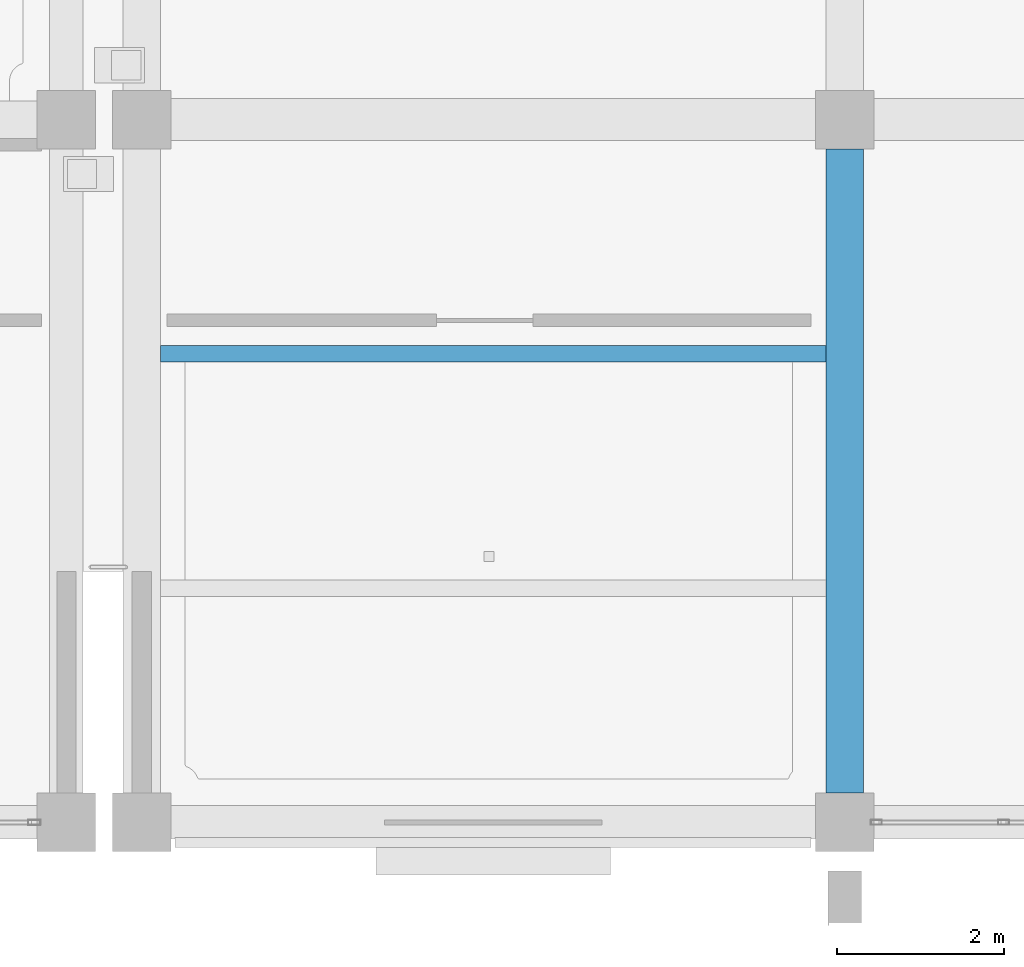
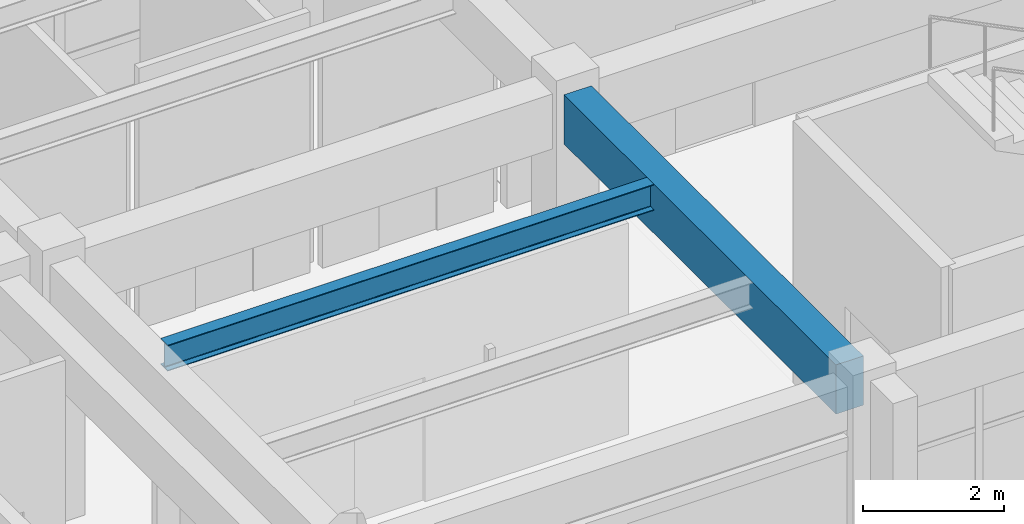
# One storey, part 27 of 98: 2 beams.
"""IFC4 building model written with IfcOpenShell, lengths in metres."""

import ifcopenshell
import ifcopenshell.guid

model = None  # the IFC model being written
_history = None  # IfcOwnerHistory: only IFC2X3 demands one
_inside = {}  # id of a spatial element -> (the spatial element, [elements in it])
_under = {}  # id of a project, library or spatial element -> (it, [spatial elements below it])
_declared = {}  # id of a project -> (the project, [libraries it declares])
_typed = {}  # id of a type object -> (the type object, [elements of that type])
_made_of = {}  # id of a material, layer set ... -> (it, [elements and type objects made of it])


def new_model(schema):
    """Start an empty IFC model of exactly this schema.

    Asked for "IFC4X3", IfcOpenShell would pick the latest addendum, in which some entities
    have other attributes; the version numbers below select the first issue.
    IFC2X3 requires an IfcOwnerHistory on every rooted entity: one is made here for all.
    """
    global model, _history
    if schema == "IFC4X3":
        model = ifcopenshell.file(schema_version=(4, 3, 0, 0))
    else:
        model = ifcopenshell.file(schema=schema)
    _inside.clear()
    _under.clear()
    _declared.clear()
    _typed.clear()
    _made_of.clear()
    _history = None
    if model.schema == "IFC2X3":
        org = make("IfcOrganization", Name="unknown")
        user = make(
            "IfcPersonAndOrganization",
            ThePerson=make("IfcPerson", FamilyName="unknown"),
            TheOrganization=org,
        )
        app = make(
            "IfcApplication",
            ApplicationDeveloper=org,
            Version="unknown",
            ApplicationFullName="unknown",
            ApplicationIdentifier="unknown",
        )
        _history = make(
            "IfcOwnerHistory",
            OwningUser=user,
            OwningApplication=app,
            ChangeAction="ADDED",
            CreationDate=0,
        )
    return model


def make(cls, **values):
    """One entity of the class cls with the attributes given. An attribute that is None is left unset."""
    return model.create_entity(
        cls, **{name: value for name, value in values.items() if value is not None}
    )


def rooted(cls, **values):
    """An entity with a GlobalId (a new one), such as an element, a storey or a relation."""
    return make(cls, GlobalId=ifcopenshell.guid.new(), OwnerHistory=_history, **values)


def si_unit(unit_type, name, prefix=None):
    """IfcSIUnit, for example si_unit("LENGTHUNIT", "METRE", prefix="MILLI")."""
    return make("IfcSIUnit", UnitType=unit_type, Prefix=prefix, Name=name)


def assignment(units):
    """IfcUnitAssignment: the units of a project."""
    return None if units is None else make("IfcUnitAssignment", Units=units)


def point(xyz):
    """IfcCartesianPoint."""
    return None if xyz is None else make("IfcCartesianPoint", Coordinates=xyz)


def direction(xyz):
    """IfcDirection."""
    return None if xyz is None else make("IfcDirection", DirectionRatios=xyz)


def frame(location, z_axis=None, x_axis=None):
    """IfcAxis2Placement3D, a coordinate frame: its origin and axes. An axis left out is left unset."""
    return make(
        "IfcAxis2Placement3D",
        Location=point(location),
        Axis=direction(z_axis),
        RefDirection=direction(x_axis),
    )


def frame_2d(location, x_axis=None):
    """IfcAxis2Placement2D, a coordinate frame in the plane: its origin and x axis."""
    return make(
        "IfcAxis2Placement2D", Location=point(location), RefDirection=direction(x_axis)
    )


def origin():
    """The frame at (0, 0, 0) with its axes left unset."""
    return frame((0.0, 0.0, 0.0))


def origin_2d():
    """The frame at (0, 0) in the plane with its x axis left unset."""
    return frame_2d((0.0, 0.0))


def place(relative_to, where):
    """IfcLocalPlacement: puts the frame where relative to a parent placement (None: the world)."""
    return make(
        "IfcLocalPlacement", PlacementRelTo=relative_to, RelativePlacement=where
    )


def context(
    kind, dimensions, precision=None, world=None, true_north=None, identifier=None
):
    """IfcGeometricRepresentationContext, for example the 3D "Model" context."""
    return make(
        "IfcGeometricRepresentationContext",
        ContextIdentifier=identifier,
        ContextType=kind,
        CoordinateSpaceDimension=dimensions,
        Precision=precision,
        WorldCoordinateSystem=world,
        TrueNorth=true_north,
    )


def subcontext(parent, identifier, kind, view, scale=None):
    """IfcGeometricRepresentationSubContext, for example "Body" below "Model"."""
    return make(
        "IfcGeometricRepresentationSubContext",
        ContextIdentifier=identifier,
        ContextType=kind,
        ParentContext=parent,
        TargetScale=scale,
        TargetView=view,
    )


def project(units=None, contexts=None):
    """IfcProject with its units and contexts."""
    return rooted(
        "IfcProject",
        Name="project",
        RepresentationContexts=contexts,
        UnitsInContext=assignment(units),
    )


def spatial(cls, under=None, at=None, **own):
    """A site, building, storey or space (cls), placed at a placement, below another one or the project."""
    s = rooted(cls, ObjectPlacement=at, **own)
    if under is not None:
        _under.setdefault(under.id(), (under, []))[1].append(s)
    return s


def profile(cls, at=None, kind="AREA", **sizes):
    """A parametric profile (cls). Its sizes go by their IFC names, for example OverallWidth=200.0."""
    return make(cls, ProfileType=kind, Position=at, **sizes)


def rectangle(**sizes):
    """IfcRectangleProfileDef."""
    return profile("IfcRectangleProfileDef", **sizes)


def i_section(**sizes):
    """IfcIShapeProfileDef."""
    return profile("IfcIShapeProfileDef", **sizes)


def extrude(swept, where, along, depth):
    """IfcExtrudedAreaSolid: the profile swept, set in the frame where, extruded along a direction by depth."""
    return make(
        "IfcExtrudedAreaSolid",
        SweptArea=swept,
        Position=where,
        ExtrudedDirection=direction(along),
        Depth=depth,
    )


def shape(context_of_items, identifier, shape_type, items):
    """IfcShapeRepresentation: the items that make up one representation, for example the "Body"."""
    return make(
        "IfcShapeRepresentation",
        ContextOfItems=context_of_items,
        RepresentationIdentifier=identifier,
        RepresentationType=shape_type,
        Items=items,
    )


def material(Name=None, Category=None):
    """IfcMaterial."""
    return make("IfcMaterial", Name=Name, Category=Category)


def material_profile(
    of_material, cross_section, Name=None, Category=None, Priority=None
):
    """IfcMaterialProfile: a cross section and its material."""
    return make(
        "IfcMaterialProfile",
        Name=Name,
        Material=of_material,
        Profile=cross_section,
        Priority=Priority,
        Category=Category,
    )


def profile_set(profiles, Name=None, composite=None):
    """IfcMaterialProfileSet."""
    return make(
        "IfcMaterialProfileSet",
        Name=Name,
        MaterialProfiles=profiles,
        CompositeProfile=composite,
    )


def made_of(thing, what):
    """Note that an element or type object is made of a material, layer set ...; save() writes the relation."""
    if what is not None:
        _made_of.setdefault(what.id(), (what, []))[1].append(thing)
    return thing


def type_object(cls, material=None, **own):
    """A type object (cls), such as IfcWallType, which elements share."""
    return made_of(rooted(cls, **own), material)


def element(
    cls,
    number,
    at=None,
    inside=None,
    cuts=None,
    type_object=None,
    material=None,
    context=None,
    identifier="Body",
    shape_type=None,
    held_by="IfcProductDefinitionShape",
    body=None,
    shapes=None,
    **own,
):
    """One element of the class cls, such as IfcWall. Its Tag is "e" and its number.

    at: its placement. inside: the storey or other place that contains it. cuts: it is an
    opening in that element (IfcRelVoidsElement). A single representation is given by context,
    identifier, shape_type and body (its items); several are given by shapes. held_by: the class
    of the entity that holds the representations. save() writes the other relations.
    """
    e = rooted(cls, Tag="e%d" % number, ObjectPlacement=at, **own)
    if body is not None:
        shapes = [shape(context, identifier, shape_type, body)]
    if shapes is not None:
        e.Representation = make(held_by, Representations=shapes)
    if inside is not None:
        _inside.setdefault(inside.id(), (inside, []))[1].append(e)
    if cuts is not None:
        rooted(
            "IfcRelVoidsElement", RelatingBuildingElement=cuts, RelatedOpeningElement=e
        )
    if type_object is not None:
        _typed.setdefault(type_object.id(), (type_object, []))[1].append(e)
    return made_of(e, material)


def aggregate(whole, parts):
    """IfcRelAggregates: a whole, such as a stair, and the parts it consists of."""
    return rooted("IfcRelAggregates", RelatingObject=whole, RelatedObjects=parts)


def save(model, path):
    """Write the relations noted so far, then the file.

    IfcRelAggregates (storeys below a building ...), IfcRelContainedInSpatialStructure (elements
    in a storey), IfcRelDefinesByType, IfcRelAssociatesMaterial and IfcRelDeclares: one each for
    every whole, place, type object, material and project.
    """
    for whole, parts in _under.values():
        aggregate(whole, parts)
    for where, things in _inside.values():
        rooted(
            "IfcRelContainedInSpatialStructure",
            RelatedElements=things,
            RelatingStructure=where,
        )
    for kind, things in _typed.values():
        rooted("IfcRelDefinesByType", RelatedObjects=things, RelatingType=kind)
    for what, things in _made_of.values():
        rooted("IfcRelAssociatesMaterial", RelatedObjects=things, RelatingMaterial=what)
    for by, libraries in _declared.values():
        rooted("IfcRelDeclares", RelatingContext=by, RelatedDefinitions=libraries)
    model.write(path)


model = new_model("IFC4")

# Units and contexts
model_context = context("Model", 3, precision=1e-05, world=origin(), true_north=direction((0.0, 1.0)))
body_context = subcontext(model_context, "Body", "Model", "MODEL_VIEW")
ifc_project = project(units=[si_unit("LENGTHUNIT", "METRE"), si_unit("AREAUNIT", "SQUARE_METRE"), si_unit("VOLUMEUNIT", "CUBIC_METRE"), si_unit("PLANEANGLEUNIT", "RADIAN"), si_unit("MASSUNIT", "GRAM", prefix="KILO")], contexts=[model_context])

# Site, building, storey
site_placement = place(None, origin())
site = spatial("IfcSite", under=ifc_project, at=site_placement, CompositionType="ELEMENT")
building_placement = place(site_placement, origin())
building = spatial("IfcBuilding", under=site, at=building_placement, Name="Canglan Escarpment Cableway Terminal", CompositionType="ELEMENT")
storey_placement = place(building_placement, frame((0.0, 0.0, 9.60009765625)))
storey = spatial("IfcBuildingStorey", under=building, at=storey_placement, Name="L02", CompositionType="ELEMENT", Elevation=9.60009765625)

# Beams
ifc_material_1 = material(Name="Concrete C40", Category="concrete")
ifc_material_profile_1 = material_profile(ifc_material_1, rectangle(XDim=0.449951171875, YDim=0.85009765625, at=origin_2d()), Name="RC 450x850")
ifc_profile_set_1 = profile_set([ifc_material_profile_1], Name="Concrete C40")
beam_type_1 = type_object("IfcBeamType", Name="BM-RC450x850", PredefinedType="BEAM", material=ifc_profile_set_1)
beam_1_placement = place(storey_placement, frame((119.89990234375, 8.35009765625, 4.094970703125), z_axis=(0.0, 1.0, 0.0), x_axis=(-1.0, 0.0, 0.0)))
element("IfcBeam", 1, at=beam_1_placement, inside=storey, type_object=beam_type_1, Name="Primary transverse girder B-02", PredefinedType="BEAM", context=body_context, shape_type="SweptSolid", body=[
    extrude(rectangle(XDim=0.449951171875, YDim=0.85009765625, at=origin_2d()), origin(), (0.0, 0.0, 1.0), 7.699951171875),
])
ifc_material_2 = material(Name="Steel Q355B", Category="steel")
ifc_material_profile_2 = material_profile(ifc_material_2, i_section(OverallWidth=0.199951171875, OverallDepth=0.449951171875, WebThickness=0.009033203125, FlangeThickness=0.013916015625, FilletRadius=0.01806640625, at=origin_2d()), Name="HN 450x200x9x14")
ifc_profile_set_2 = profile_set([ifc_material_profile_2], Name="Steel Q355B")
beam_type_2 = type_object("IfcBeamType", Name="JS-HN450", PredefinedType="JOIST", material=ifc_profile_set_2)
beam_2_placement = place(storey_placement, frame((111.72509765625, 13.60009765625, 4.294921875), z_axis=(1.0, 0.0, 0.0), x_axis=(0.0, 1.0, 0.0)))
element("IfcBeam", 2, at=beam_2_placement, inside=storey, type_object=beam_type_2, Name="Secondary composite deck joist J-02", PredefinedType="JOIST", context=body_context, shape_type="SweptSolid", body=[
    extrude(i_section(OverallWidth=0.199951171875, OverallDepth=0.449951171875, WebThickness=0.009033203125, FlangeThickness=0.013916015625, FilletRadius=0.01806640625, at=origin_2d()), origin(), (0.0, 0.0, 1.0), 7.949951171875),
])

save(model, "model.ifc")
